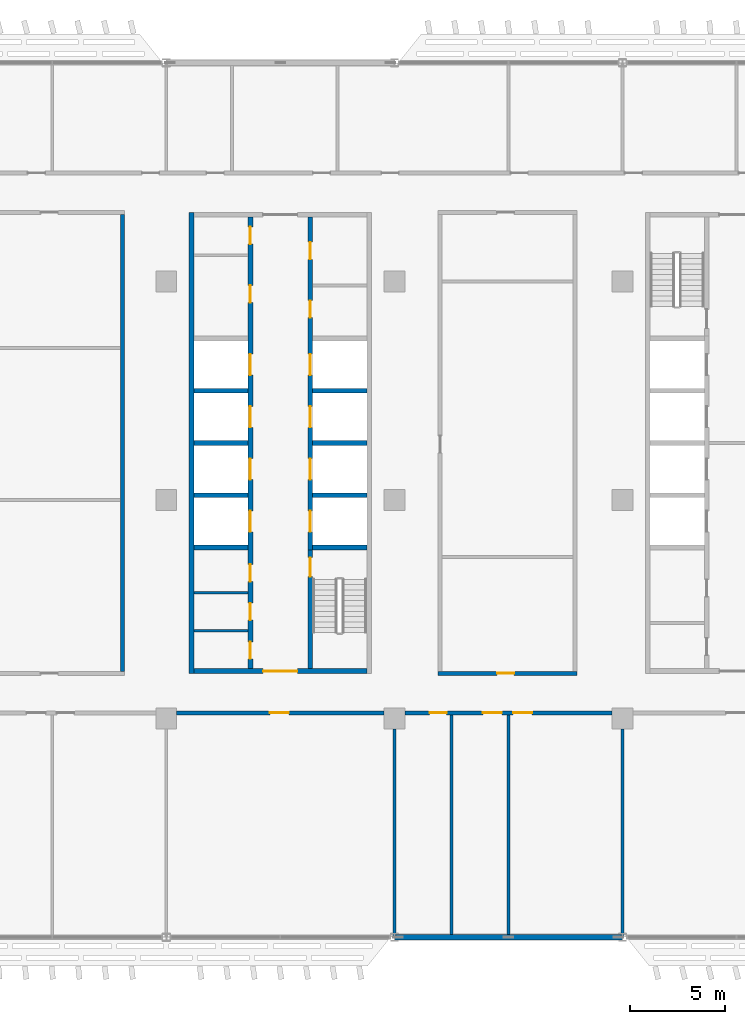
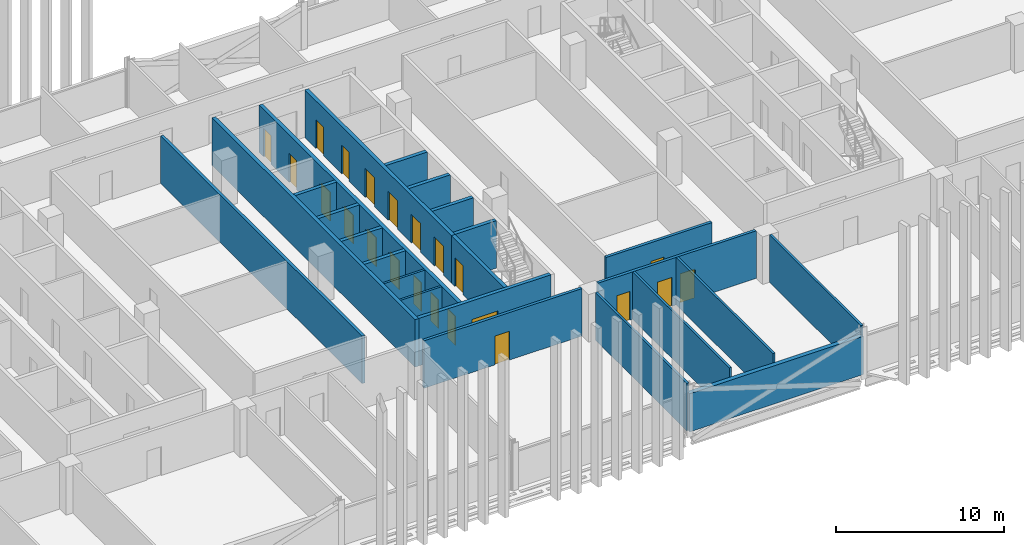
# One storey, part 14 of 30: 24 walls, 22 doors, 22 openings.
"""IFC4 building model written with IfcOpenShell, lengths in metres."""

from ifc_helpers import new_model, si_unit, direction, frame, frame_2d, origin, place, context, subcontext, project, spatial, rectangle, extrude, material, layer, layer_set, type_object, element, fill, save


model = new_model("IFC4")

# Units and contexts
model_context = context("Model", 3, precision=1e-05, world=origin(), true_north=direction((0.0, 1.0)))
body_context = subcontext(model_context, "Body", "Model", "MODEL_VIEW")
ifc_project = project(units=[si_unit("LENGTHUNIT", "METRE"), si_unit("AREAUNIT", "SQUARE_METRE"), si_unit("VOLUMEUNIT", "CUBIC_METRE"), si_unit("PLANEANGLEUNIT", "RADIAN"), si_unit("MASSUNIT", "GRAM", prefix="KILO")], contexts=[model_context])

# Site, building, storey
site_placement = place(None, origin())
site = spatial("IfcSite", under=ifc_project, at=site_placement, CompositionType="ELEMENT")
building_placement = place(site_placement, origin())
building = spatial("IfcBuilding", under=site, at=building_placement, Name="Mahtab Terrace Research Tower", CompositionType="ELEMENT")
storey_placement = place(building_placement, frame((0.0, 0.0, 209.10009765625)))
storey = spatial("IfcBuildingStorey", under=building, at=storey_placement, Name="L50", CompositionType="ELEMENT", Elevation=209.10009765625)

# Walls
ifc_material_1 = material(Name="Gypsum board partition")
ifc_layer_1 = layer(ifc_material_1, 0.14990234375)
ifc_layer_set_1 = layer_set([ifc_layer_1], Name="Core partition 150")
wall_type_1 = type_object("IfcWallType", Name="Core partition 150", PredefinedType="PARTITIONING", material=ifc_layer_set_1)
for number, where, z_axis, x_axis, name in (
    (1, (-4.550048828125, -6.875, 0.0), (0.0, 0.0, 1.0), (1.0, 0.0, 0.0), "Core wall B pWS-988"),
    (2, (-4.550048828125, -4.875, 0.0), (0.0, 0.0, 1.0), (1.0, 0.0, 0.0), "Core wall B pWS-788"),
):
    element("IfcWall", number, at=place(storey_placement, frame(where, z_axis=z_axis, x_axis=x_axis)), inside=storey, type_object=wall_type_1, Name=name, PredefinedType="PARTITIONING", context=body_context, shape_type="SweptSolid", body=[
        extrude(rectangle(XDim=2.85009765625, YDim=0.14990234375, at=frame_2d((1.425048828125, 0.0))), origin(), (0.0, 0.0, 1.0), 3.4599609375),
    ])
ifc_material_2 = material(Name="Concrete C70/85", Category="concrete")
ifc_layer_2 = layer(ifc_material_2, 0.25)
ifc_layer_set_2 = layer_set([ifc_layer_2], Name="Core wall 250")
wall_type_2 = type_object("IfcWallType", Name="Core wall 250", PredefinedType="SOLIDWALL", material=ifc_layer_set_2)
wall_1_placement = place(storey_placement, frame((-4.675048828125, 15.125, 0.0), z_axis=(0.0, 0.0, 1.0), x_axis=(0.0, -1.0, 0.0)))
element("IfcWall", 3, at=wall_1_placement, inside=storey, type_object=wall_type_2, Name="Core wall B outerW", PredefinedType="SOLIDWALL", context=body_context, shape_type="SweptSolid", body=[
    extrude(rectangle(XDim=24.25, YDim=0.25, at=frame_2d((12.125, 0.0))), origin(), (0.0, 0.0, 1.0), 3.4599609375),
])

# Wall, opening, door
wall_2_placement = place(storey_placement, frame((4.550048828125, -9.0, 0.0), z_axis=(0.0, 0.0, 1.0), x_axis=(-1.0, 0.0, 0.0)))
wall_2 = element("IfcWall", 4, at=wall_2_placement, inside=storey, type_object=wall_type_2, Name="Core wall B endS", PredefinedType="SOLIDWALL", context=body_context, shape_type="SweptSolid", body=[
    extrude(rectangle(XDim=9.10009765625, YDim=0.25, at=frame_2d((4.550048828125, 0.0))), origin(), (0.0, 0.0, 1.0), 3.4599609375),
])
opening_1_placement = place(wall_2_placement, frame((3.64990234375, 0.0, 0.0)))
opening_1 = element("IfcOpeningElement", 5, at=opening_1_placement, cuts=wall_2, Name="Opening B-S1", PredefinedType="OPENING", context=body_context, shape_type="SweptSolid", body=[
    extrude(rectangle(XDim=1.800048828125, YDim=2.10009765625, at=frame_2d((0.89990234375, 1.050048828125))), frame((0.0, 0.135009765625, 0.0), z_axis=(0.0, -1.0, 0.0), x_axis=(1.0, 0.0, 0.0)), (0.0, 0.0, 1.0), 0.27001953125),
])
ifc_material_3 = material(Name="Steel fire door", Category="steel")
door_type_1 = type_object("IfcDoorType", Name="Lobby double door 1800x2100 1 HR", OperationType="DOUBLE_DOOR_SINGLE_SWING", PredefinedType="DOOR", material=ifc_material_3)
door_1_placement = place(opening_1_placement, origin())
door_1 = element("IfcDoor", 6, at=door_1_placement, inside=storey, type_object=door_type_1, Name="Core entrance door B S", OperationType="DOUBLE_DOOR_SINGLE_SWING", OverallHeight=2.10009765625, OverallWidth=1.800048828125, PredefinedType="DOOR", context=body_context, shape_type="SweptSolid", body=[
    extrude(rectangle(XDim=1.800048828125, YDim=2.10009765625, at=frame_2d((0.89990234375, 1.050048828125))), frame((0.0, 0.02490234375, 0.0), z_axis=(0.0, -1.0, 0.0), x_axis=(1.0, 0.0, 0.0)), (0.0, 0.0, 1.0), 0.050048828125),
])
fill(opening_1, door_1)

# Wall, openings, doors
wall_3_placement = place(storey_placement, frame((-1.574951171875, -8.875, 0.0), z_axis=(0.0, 0.0, 1.0), x_axis=(0.0, 1.0, 0.0)))
wall_3 = element("IfcWall", 7, at=wall_3_placement, inside=storey, type_object=wall_type_2, Name="Core wall B innerWSLN", PredefinedType="SOLIDWALL", context=body_context, shape_type="SweptSolid", body=[
    extrude(rectangle(XDim=23.75, YDim=0.25, at=frame_2d((11.875, 0.0))), origin(), (0.0, 0.0, 1.0), 3.4599609375),
])
opening_2_placement = place(wall_3_placement, frame((7.199951171875, 0.0, 0.0)))
opening_2 = element("IfcOpeningElement", 8, at=opening_2_placement, cuts=wall_3, Name="Opening LD09-L50", PredefinedType="OPENING", context=body_context, shape_type="SweptSolid", body=[
    extrude(rectangle(XDim=1.10009765625, YDim=2.10009765625, at=frame_2d((0.550048828125, 1.050048828125))), frame((0.0, 0.135009765625, 0.0), z_axis=(0.0, -1.0, 0.0), x_axis=(1.0, 0.0, 0.0)), (0.0, 0.0, 1.0), 0.27001953125),
])
opening_3_placement = place(wall_3_placement, frame((9.949951171875, 0.0, 0.0)))
opening_3 = element("IfcOpeningElement", 9, at=opening_3_placement, cuts=wall_3, Name="Opening LD10-L50", PredefinedType="OPENING", context=body_context, shape_type="SweptSolid", body=[
    extrude(rectangle(XDim=1.10009765625, YDim=2.10009765625, at=frame_2d((0.550048828125, 1.050048828125))), frame((0.0, 0.135009765625, 0.0), z_axis=(0.0, -1.0, 0.0), x_axis=(1.0, 0.0, 0.0)), (0.0, 0.0, 1.0), 0.27001953125),
])
opening_4_placement = place(wall_3_placement, frame((12.699951171875, 0.0, 0.0)))
opening_4 = element("IfcOpeningElement", 10, at=opening_4_placement, cuts=wall_3, Name="Opening LD11-L50", PredefinedType="OPENING", context=body_context, shape_type="SweptSolid", body=[
    extrude(rectangle(XDim=1.10009765625, YDim=2.10009765625, at=frame_2d((0.550048828125, 1.050048828125))), frame((0.0, 0.135009765625, 0.0), z_axis=(0.0, -1.0, 0.0), x_axis=(1.0, 0.0, 0.0)), (0.0, 0.0, 1.0), 0.27001953125),
])
opening_5_placement = place(wall_3_placement, frame((15.449951171875, 0.0, 0.0)))
opening_5 = element("IfcOpeningElement", 11, at=opening_5_placement, cuts=wall_3, Name="Opening LD12-L50", PredefinedType="OPENING", context=body_context, shape_type="SweptSolid", body=[
    extrude(rectangle(XDim=1.10009765625, YDim=2.10009765625, at=frame_2d((0.550048828125, 1.050048828125))), frame((0.0, 0.135009765625, 0.0), z_axis=(0.0, -1.0, 0.0), x_axis=(1.0, 0.0, 0.0)), (0.0, 0.0, 1.0), 0.27001953125),
])
opening_6_placement = place(wall_3_placement, frame((0.512451171875, 0.0, 0.0)))
opening_6 = element("IfcOpeningElement", 12, at=opening_6_placement, cuts=wall_3, Name="Opening B-R1", PredefinedType="OPENING", context=body_context, shape_type="SweptSolid", body=[
    extrude(rectangle(XDim=0.89990234375, YDim=2.10009765625, at=frame_2d((0.449951171875, 1.050048828125))), frame((0.0, 0.135009765625, 0.0), z_axis=(0.0, -1.0, 0.0), x_axis=(1.0, 0.0, 0.0)), (0.0, 0.0, 1.0), 0.27001953125),
])
opening_7_placement = place(wall_3_placement, frame((2.550048828125, 0.0, 0.0)))
opening_7 = element("IfcOpeningElement", 13, at=opening_7_placement, cuts=wall_3, Name="Opening B-R2", PredefinedType="OPENING", context=body_context, shape_type="SweptSolid", body=[
    extrude(rectangle(XDim=0.89990234375, YDim=2.10009765625, at=frame_2d((0.449951171875, 1.050048828125))), frame((0.0, 0.135009765625, 0.0), z_axis=(0.0, -1.0, 0.0), x_axis=(1.0, 0.0, 0.0)), (0.0, 0.0, 1.0), 0.27001953125),
])
opening_8_placement = place(wall_3_placement, frame((4.58740234375, 0.0, 0.0)))
opening_8 = element("IfcOpeningElement", 14, at=opening_8_placement, cuts=wall_3, Name="Opening B-R3", PredefinedType="OPENING", context=body_context, shape_type="SweptSolid", body=[
    extrude(rectangle(XDim=0.89990234375, YDim=2.10009765625, at=frame_2d((0.449951171875, 1.050048828125))), frame((0.0, 0.135009765625, 0.0), z_axis=(0.0, -1.0, 0.0), x_axis=(1.0, 0.0, 0.0)), (0.0, 0.0, 1.0), 0.27001953125),
])
opening_9_placement = place(wall_3_placement, frame((19.262451171875, 0.0, 0.0)))
opening_9 = element("IfcOpeningElement", 15, at=opening_9_placement, cuts=wall_3, Name="Opening B-R4", PredefinedType="OPENING", context=body_context, shape_type="SweptSolid", body=[
    extrude(rectangle(XDim=0.89990234375, YDim=2.10009765625, at=frame_2d((0.449951171875, 1.050048828125))), frame((0.0, 0.135009765625, 0.0), z_axis=(0.0, -1.0, 0.0), x_axis=(1.0, 0.0, 0.0)), (0.0, 0.0, 1.0), 0.27001953125),
])
opening_10_placement = place(wall_3_placement, frame((22.33740234375, 0.0, 0.0)))
opening_10 = element("IfcOpeningElement", 16, at=opening_10_placement, cuts=wall_3, Name="Opening B-R5", PredefinedType="OPENING", context=body_context, shape_type="SweptSolid", body=[
    extrude(rectangle(XDim=0.89990234375, YDim=2.10009765625, at=frame_2d((0.449951171875, 1.050048828125))), frame((0.0, 0.135009765625, 0.0), z_axis=(0.0, -1.0, 0.0), x_axis=(1.0, 0.0, 0.0)), (0.0, 0.0, 1.0), 0.27001953125),
])
ifc_material_4 = material(Name="Stainless steel AISI 304", Category="steel")
door_type_2 = type_object("IfcDoorType", Name="Landing door 1100x2100", OperationType="DOUBLE_DOOR_SLIDING", PredefinedType="DOOR", material=ifc_material_4)
door_2_placement = place(opening_2_placement, origin())
door_2 = element("IfcDoor", 17, at=door_2_placement, inside=storey, type_object=door_type_2, Name="Landing door HR1 L50", OperationType="DOUBLE_DOOR_SLIDING", OverallHeight=2.10009765625, OverallWidth=1.10009765625, PredefinedType="DOOR", context=body_context, shape_type="SweptSolid", body=[
    extrude(rectangle(XDim=1.10009765625, YDim=2.10009765625, at=frame_2d((0.550048828125, 1.050048828125))), frame((0.0, 0.02490234375, 0.0), z_axis=(0.0, -1.0, 0.0), x_axis=(1.0, 0.0, 0.0)), (0.0, 0.0, 1.0), 0.050048828125),
])
fill(opening_2, door_2)
door_3_placement = place(opening_3_placement, origin())
door_3 = element("IfcDoor", 18, at=door_3_placement, inside=storey, type_object=door_type_2, Name="Landing door HR2 L50", OperationType="DOUBLE_DOOR_SLIDING", OverallHeight=2.10009765625, OverallWidth=1.10009765625, PredefinedType="DOOR", context=body_context, shape_type="SweptSolid", body=[
    extrude(rectangle(XDim=1.10009765625, YDim=2.10009765625, at=frame_2d((0.550048828125, 1.050048828125))), frame((0.0, 0.02490234375, 0.0), z_axis=(0.0, -1.0, 0.0), x_axis=(1.0, 0.0, 0.0)), (0.0, 0.0, 1.0), 0.050048828125),
])
fill(opening_3, door_3)
door_4_placement = place(opening_4_placement, origin())
door_4 = element("IfcDoor", 19, at=door_4_placement, inside=storey, type_object=door_type_2, Name="Landing door HR3 L50", OperationType="DOUBLE_DOOR_SLIDING", OverallHeight=2.10009765625, OverallWidth=1.10009765625, PredefinedType="DOOR", context=body_context, shape_type="SweptSolid", body=[
    extrude(rectangle(XDim=1.10009765625, YDim=2.10009765625, at=frame_2d((0.550048828125, 1.050048828125))), frame((0.0, 0.02490234375, 0.0), z_axis=(0.0, -1.0, 0.0), x_axis=(1.0, 0.0, 0.0)), (0.0, 0.0, 1.0), 0.050048828125),
])
fill(opening_4, door_4)
door_5_placement = place(opening_5_placement, origin())
door_5 = element("IfcDoor", 20, at=door_5_placement, inside=storey, type_object=door_type_2, Name="Landing door HR4 L50", OperationType="DOUBLE_DOOR_SLIDING", OverallHeight=2.10009765625, OverallWidth=1.10009765625, PredefinedType="DOOR", context=body_context, shape_type="SweptSolid", body=[
    extrude(rectangle(XDim=1.10009765625, YDim=2.10009765625, at=frame_2d((0.550048828125, 1.050048828125))), frame((0.0, 0.02490234375, 0.0), z_axis=(0.0, -1.0, 0.0), x_axis=(1.0, 0.0, 0.0)), (0.0, 0.0, 1.0), 0.050048828125),
])
fill(opening_5, door_5)
door_type_3 = type_object("IfcDoorType", Name="Room door 900x2100 1 HR", OperationType="NOTDEFINED", PredefinedType="DOOR", material=ifc_material_3)
door_6_placement = place(opening_6_placement, origin())
door_6 = element("IfcDoor", 21, at=door_6_placement, inside=storey, type_object=door_type_3, Name="Comms riser room door", OperationType="SINGLE_SWING_LEFT", OverallHeight=2.10009765625, OverallWidth=0.89990234375, PredefinedType="DOOR", context=body_context, shape_type="SweptSolid", body=[
    extrude(rectangle(XDim=0.89990234375, YDim=2.10009765625, at=frame_2d((0.449951171875, 1.050048828125))), frame((0.0, 0.02490234375, 0.0), z_axis=(0.0, -1.0, 0.0), x_axis=(1.0, 0.0, 0.0)), (0.0, 0.0, 1.0), 0.050048828125),
])
fill(opening_6, door_6)
door_7_placement = place(opening_7_placement, origin())
door_7 = element("IfcDoor", 22, at=door_7_placement, inside=storey, type_object=door_type_3, Name="Pantry door", OperationType="SINGLE_SWING_RIGHT", OverallHeight=2.10009765625, OverallWidth=0.89990234375, PredefinedType="DOOR", context=body_context, shape_type="SweptSolid", body=[
    extrude(rectangle(XDim=0.89990234375, YDim=2.10009765625, at=frame_2d((0.449951171875, 1.050048828125))), frame((0.0, 0.02490234375, 0.0), z_axis=(0.0, -1.0, 0.0), x_axis=(1.0, 0.0, 0.0)), (0.0, 0.0, 1.0), 0.050048828125),
])
fill(opening_7, door_7)
door_8_placement = place(opening_8_placement, origin())
door_8 = element("IfcDoor", 23, at=door_8_placement, inside=storey, type_object=door_type_3, Name="Cleaners store door", OperationType="SINGLE_SWING_LEFT", OverallHeight=2.10009765625, OverallWidth=0.89990234375, PredefinedType="DOOR", context=body_context, shape_type="SweptSolid", body=[
    extrude(rectangle(XDim=0.89990234375, YDim=2.10009765625, at=frame_2d((0.449951171875, 1.050048828125))), frame((0.0, 0.02490234375, 0.0), z_axis=(0.0, -1.0, 0.0), x_axis=(1.0, 0.0, 0.0)), (0.0, 0.0, 1.0), 0.050048828125),
])
fill(opening_8, door_8)
door_9_placement = place(opening_9_placement, origin())
door_9 = element("IfcDoor", 24, at=door_9_placement, inside=storey, type_object=door_type_3, Name="IT equipment room door", OperationType="SINGLE_SWING_RIGHT", OverallHeight=2.10009765625, OverallWidth=0.89990234375, PredefinedType="DOOR", context=body_context, shape_type="SweptSolid", body=[
    extrude(rectangle(XDim=0.89990234375, YDim=2.10009765625, at=frame_2d((0.449951171875, 1.050048828125))), frame((0.0, 0.02490234375, 0.0), z_axis=(0.0, -1.0, 0.0), x_axis=(1.0, 0.0, 0.0)), (0.0, 0.0, 1.0), 0.050048828125),
])
fill(opening_9, door_9)
door_10_placement = place(opening_10_placement, origin())
door_10 = element("IfcDoor", 25, at=door_10_placement, inside=storey, type_object=door_type_3, Name="Electrical riser room door", OperationType="SINGLE_SWING_LEFT", OverallHeight=2.10009765625, OverallWidth=0.89990234375, PredefinedType="DOOR", context=body_context, shape_type="SweptSolid", body=[
    extrude(rectangle(XDim=0.89990234375, YDim=2.10009765625, at=frame_2d((0.449951171875, 1.050048828125))), frame((0.0, 0.02490234375, 0.0), z_axis=(0.0, -1.0, 0.0), x_axis=(1.0, 0.0, 0.0)), (0.0, 0.0, 1.0), 0.050048828125),
])
fill(opening_10, door_10)

# Wall, opening, door
wall_4_placement = place(storey_placement, frame((1.574951171875, -8.875, 0.0), z_axis=(0.0, 0.0, 1.0), x_axis=(0.0, 1.0, 0.0)))
wall_4 = element("IfcWall", 26, at=wall_4_placement, inside=storey, type_object=wall_type_2, Name="Core wall B innerES", PredefinedType="SOLIDWALL", context=body_context, shape_type="SweptSolid", body=[
    extrude(rectangle(XDim=6.25, YDim=0.25, at=frame_2d((3.125, 0.0))), origin(), (0.0, 0.0, 1.0), 3.4599609375),
])
opening_11_placement = place(wall_4_placement, frame((4.85009765625, 0.0, 0.0)))
opening_11 = element("IfcOpeningElement", 27, at=opening_11_placement, cuts=wall_4, Name="Opening B-ST2", PredefinedType="OPENING", context=body_context, shape_type="SweptSolid", body=[
    extrude(rectangle(XDim=1.0, YDim=2.10009765625, at=frame_2d((0.5, 1.050048828125))), frame((0.0, 0.135009765625, 0.0), z_axis=(0.0, -1.0, 0.0), x_axis=(1.0, 0.0, 0.0)), (0.0, 0.0, 1.0), 0.27001953125),
])
door_type_4 = type_object("IfcDoorType", Name="Stair door 1000x2100 1.5 HR", OperationType="NOTDEFINED", PredefinedType="DOOR", material=ifc_material_3)
door_11_placement = place(opening_11_placement, origin())
door_11 = element("IfcDoor", 28, at=door_11_placement, inside=storey, type_object=door_type_4, Name="Stair door ST2 L50", OperationType="SINGLE_SWING_RIGHT", OverallHeight=2.10009765625, OverallWidth=1.0, PredefinedType="DOOR", context=body_context, shape_type="SweptSolid", body=[
    extrude(rectangle(XDim=1.0, YDim=2.10009765625, at=frame_2d((0.5, 1.050048828125))), frame((0.0, 0.02490234375, 0.0), z_axis=(0.0, -1.0, 0.0), x_axis=(1.0, 0.0, 0.0)), (0.0, 0.0, 1.0), 0.050048828125),
])
fill(opening_11, door_11)

# Wall, openings, doors
wall_5_placement = place(storey_placement, frame((1.574951171875, 14.875, 0.0), z_axis=(0.0, 0.0, 1.0), x_axis=(0.0, -1.0, 0.0)))
wall_5 = element("IfcWall", 29, at=wall_5_placement, inside=storey, type_object=wall_type_2, Name="Core wall B innerELN", PredefinedType="SOLIDWALL", context=body_context, shape_type="SweptSolid", body=[
    extrude(rectangle(XDim=17.5, YDim=0.25, at=frame_2d((8.75, 0.0))), origin(), (0.0, 0.0, 1.0), 3.4599609375),
])
opening_12_placement = place(wall_5_placement, frame((15.449951171875, 0.0, 0.0)))
opening_12 = element("IfcOpeningElement", 30, at=opening_12_placement, cuts=wall_5, Name="Opening LD13-L50", PredefinedType="OPENING", context=body_context, shape_type="SweptSolid", body=[
    extrude(rectangle(XDim=1.10009765625, YDim=2.10009765625, at=frame_2d((0.550048828125, 1.050048828125))), frame((0.0, 0.135009765625, 0.0), z_axis=(0.0, -1.0, 0.0), x_axis=(1.0, 0.0, 0.0)), (0.0, 0.0, 1.0), 0.27001953125),
])
opening_13_placement = place(wall_5_placement, frame((12.699951171875, 0.0, 0.0)))
opening_13 = element("IfcOpeningElement", 31, at=opening_13_placement, cuts=wall_5, Name="Opening LD14-L50", PredefinedType="OPENING", context=body_context, shape_type="SweptSolid", body=[
    extrude(rectangle(XDim=1.10009765625, YDim=2.10009765625, at=frame_2d((0.550048828125, 1.050048828125))), frame((0.0, 0.135009765625, 0.0), z_axis=(0.0, -1.0, 0.0), x_axis=(1.0, 0.0, 0.0)), (0.0, 0.0, 1.0), 0.27001953125),
])
opening_14_placement = place(wall_5_placement, frame((9.949951171875, 0.0, 0.0)))
opening_14 = element("IfcOpeningElement", 32, at=opening_14_placement, cuts=wall_5, Name="Opening LD15-L50", PredefinedType="OPENING", context=body_context, shape_type="SweptSolid", body=[
    extrude(rectangle(XDim=1.10009765625, YDim=2.10009765625, at=frame_2d((0.550048828125, 1.050048828125))), frame((0.0, 0.135009765625, 0.0), z_axis=(0.0, -1.0, 0.0), x_axis=(1.0, 0.0, 0.0)), (0.0, 0.0, 1.0), 0.27001953125),
])
opening_15_placement = place(wall_5_placement, frame((7.199951171875, 0.0, 0.0)))
opening_15 = element("IfcOpeningElement", 33, at=opening_15_placement, cuts=wall_5, Name="Opening LD16-L50", PredefinedType="OPENING", context=body_context, shape_type="SweptSolid", body=[
    extrude(rectangle(XDim=1.10009765625, YDim=2.10009765625, at=frame_2d((0.550048828125, 1.050048828125))), frame((0.0, 0.135009765625, 0.0), z_axis=(0.0, -1.0, 0.0), x_axis=(1.0, 0.0, 0.0)), (0.0, 0.0, 1.0), 0.27001953125),
])
opening_16_placement = place(wall_5_placement, frame((4.387451171875, 0.0, 0.0)))
opening_16 = element("IfcOpeningElement", 34, at=opening_16_placement, cuts=wall_5, Name="Opening B-R6", PredefinedType="OPENING", context=body_context, shape_type="SweptSolid", body=[
    extrude(rectangle(XDim=0.89990234375, YDim=2.10009765625, at=frame_2d((0.449951171875, 1.050048828125))), frame((0.0, 0.135009765625, 0.0), z_axis=(0.0, -1.0, 0.0), x_axis=(1.0, 0.0, 0.0)), (0.0, 0.0, 1.0), 0.27001953125),
])
opening_17_placement = place(wall_5_placement, frame((1.3125, 0.0, 0.0)))
opening_17 = element("IfcOpeningElement", 35, at=opening_17_placement, cuts=wall_5, Name="Opening B-R7", PredefinedType="OPENING", context=body_context, shape_type="SweptSolid", body=[
    extrude(rectangle(XDim=0.89990234375, YDim=2.10009765625, at=frame_2d((0.449951171875, 1.050048828125))), frame((0.0, 0.135009765625, 0.0), z_axis=(0.0, -1.0, 0.0), x_axis=(1.0, 0.0, 0.0)), (0.0, 0.0, 1.0), 0.27001953125),
])
door_12_placement = place(opening_12_placement, origin())
door_12 = element("IfcDoor", 36, at=door_12_placement, inside=storey, type_object=door_type_2, Name="Landing door HR5 L50", OperationType="DOUBLE_DOOR_SLIDING", OverallHeight=2.10009765625, OverallWidth=1.10009765625, PredefinedType="DOOR", context=body_context, shape_type="SweptSolid", body=[
    extrude(rectangle(XDim=1.10009765625, YDim=2.10009765625, at=frame_2d((0.550048828125, 1.050048828125))), frame((0.0, 0.02490234375, 0.0), z_axis=(0.0, -1.0, 0.0), x_axis=(1.0, 0.0, 0.0)), (0.0, 0.0, 1.0), 0.050048828125),
])
fill(opening_12, door_12)
door_13_placement = place(opening_13_placement, origin())
door_13 = element("IfcDoor", 37, at=door_13_placement, inside=storey, type_object=door_type_2, Name="Landing door HR6 L50", OperationType="DOUBLE_DOOR_SLIDING", OverallHeight=2.10009765625, OverallWidth=1.10009765625, PredefinedType="DOOR", context=body_context, shape_type="SweptSolid", body=[
    extrude(rectangle(XDim=1.10009765625, YDim=2.10009765625, at=frame_2d((0.550048828125, 1.050048828125))), frame((0.0, 0.02490234375, 0.0), z_axis=(0.0, -1.0, 0.0), x_axis=(1.0, 0.0, 0.0)), (0.0, 0.0, 1.0), 0.050048828125),
])
fill(opening_13, door_13)
door_14_placement = place(opening_14_placement, origin())
door_14 = element("IfcDoor", 38, at=door_14_placement, inside=storey, type_object=door_type_2, Name="Landing door HR7 L50", OperationType="DOUBLE_DOOR_SLIDING", OverallHeight=2.10009765625, OverallWidth=1.10009765625, PredefinedType="DOOR", context=body_context, shape_type="SweptSolid", body=[
    extrude(rectangle(XDim=1.10009765625, YDim=2.10009765625, at=frame_2d((0.550048828125, 1.050048828125))), frame((0.0, 0.02490234375, 0.0), z_axis=(0.0, -1.0, 0.0), x_axis=(1.0, 0.0, 0.0)), (0.0, 0.0, 1.0), 0.050048828125),
])
fill(opening_14, door_14)
door_15_placement = place(opening_15_placement, origin())
door_15 = element("IfcDoor", 39, at=door_15_placement, inside=storey, type_object=door_type_2, Name="Landing door HR8 L50", OperationType="DOUBLE_DOOR_SLIDING", OverallHeight=2.10009765625, OverallWidth=1.10009765625, PredefinedType="DOOR", context=body_context, shape_type="SweptSolid", body=[
    extrude(rectangle(XDim=1.10009765625, YDim=2.10009765625, at=frame_2d((0.550048828125, 1.050048828125))), frame((0.0, 0.02490234375, 0.0), z_axis=(0.0, -1.0, 0.0), x_axis=(1.0, 0.0, 0.0)), (0.0, 0.0, 1.0), 0.050048828125),
])
fill(opening_15, door_15)
door_16_placement = place(opening_16_placement, origin())
door_16 = element("IfcDoor", 40, at=door_16_placement, inside=storey, type_object=door_type_3, Name="Accessible WC door", OperationType="SINGLE_SWING_RIGHT", OverallHeight=2.10009765625, OverallWidth=0.89990234375, PredefinedType="DOOR", context=body_context, shape_type="SweptSolid", body=[
    extrude(rectangle(XDim=0.89990234375, YDim=2.10009765625, at=frame_2d((0.449951171875, 1.050048828125))), frame((0.0, 0.02490234375, 0.0), z_axis=(0.0, -1.0, 0.0), x_axis=(1.0, 0.0, 0.0)), (0.0, 0.0, 1.0), 0.050048828125),
])
fill(opening_16, door_16)
door_17_placement = place(opening_17_placement, origin())
door_17 = element("IfcDoor", 41, at=door_17_placement, inside=storey, type_object=door_type_3, Name="WC block door", OperationType="SINGLE_SWING_LEFT", OverallHeight=2.10009765625, OverallWidth=0.89990234375, PredefinedType="DOOR", context=body_context, shape_type="SweptSolid", body=[
    extrude(rectangle(XDim=0.89990234375, YDim=2.10009765625, at=frame_2d((0.449951171875, 1.050048828125))), frame((0.0, 0.02490234375, 0.0), z_axis=(0.0, -1.0, 0.0), x_axis=(1.0, 0.0, 0.0)), (0.0, 0.0, 1.0), 0.050048828125),
])
fill(opening_17, door_17)

# Walls
for number, where, z_axis, x_axis, name in (
    (42, (-4.550048828125, -2.5, 0.0), (0.0, 0.0, 1.0), (1.0, 0.0, 0.0), "Core wall B divW0"),
    (43, (-4.550048828125, 0.25, 0.0), (0.0, 0.0, 1.0), (1.0, 0.0, 0.0), "Core wall B divW1"),
    (44, (-4.550048828125, 3.0, 0.0), (0.0, 0.0, 1.0), (1.0, 0.0, 0.0), "Core wall B divW2"),
    (45, (-4.550048828125, 5.75, 0.0), (0.0, 0.0, 1.0), (1.0, 0.0, 0.0), "Core wall B divW3"),
    (46, (1.699951171875, -2.5, 0.0), (0.0, 0.0, 1.0), (1.0, 0.0, 0.0), "Core wall B divE0"),
    (47, (1.699951171875, 0.25, 0.0), (0.0, 0.0, 1.0), (1.0, 0.0, 0.0), "Core wall B divE1"),
    (48, (1.699951171875, 3.0, 0.0), (0.0, 0.0, 1.0), (1.0, 0.0, 0.0), "Core wall B divE2"),
    (49, (1.699951171875, 5.75, 0.0), (0.0, 0.0, 1.0), (1.0, 0.0, 0.0), "Core wall B divE3"),
):
    element("IfcWall", number, at=place(storey_placement, frame(where, z_axis=z_axis, x_axis=x_axis)), inside=storey, type_object=wall_type_2, Name=name, PredefinedType="SOLIDWALL", context=body_context, shape_type="SweptSolid", body=[
        extrude(rectangle(XDim=2.85009765625, YDim=0.25, at=frame_2d((1.425048828125, 0.0))), origin(), (0.0, 0.0, 1.0), 3.4599609375),
    ])
ifc_material_5 = material(Name="Black aluminium cladding panel", Category="aluminium")
ifc_layer_3 = layer(ifc_material_5, 0.300048828125)
ifc_layer_set_3 = layer_set([ifc_layer_3], Name="Opaque facade wall 300")
wall_type_3 = type_object("IfcWallType", Name="Opaque facade wall 300", PredefinedType="NOTDEFINED", material=ifc_layer_set_3)
wall_6_placement = place(storey_placement, frame((6.012451171875, -23.0, 0.0), z_axis=(0.0, 0.0, 1.0), x_axis=(1.0, 0.0, 0.0)))
element("IfcWall", 50, at=wall_6_placement, inside=storey, type_object=wall_type_3, Name="Opaque facade wall L50 S27", PredefinedType="NOTDEFINED", context=body_context, shape_type="SweptSolid", body=[
    extrude(rectangle(XDim=11.97509765625, YDim=0.300048828125, at=frame_2d((5.987548828125, 0.0))), origin(), (0.0, 0.0, 1.0), 2.78173828125),
])

# Wall, opening, door
ifc_material_6 = material(Name="Gypsum board corridor wall on steel studs", Category="steel")
ifc_layer_4 = layer(ifc_material_6, 0.199951171875)
ifc_layer_set_4 = layer_set([ifc_layer_4], Name="WALL CORRIDOR 200")
wall_type_4 = type_object("IfcWallType", Name="WALL CORRIDOR 200", PredefinedType="PARTITIONING", material=ifc_layer_set_4)
wall_7_placement = place(storey_placement, frame((-5.449951171875, -11.199951171875, 0.0), z_axis=(0.0, 0.0, 1.0), x_axis=(1.0, 0.0, 0.0)))
wall_7 = element("IfcWall", 51, at=wall_7_placement, inside=storey, type_object=wall_type_4, Name="L50-W004", PredefinedType="PARTITIONING", context=body_context, shape_type="SweptSolid", body=[
    extrude(rectangle(XDim=10.89990234375, YDim=0.199951171875, at=frame_2d((5.449951171875, 0.0))), origin(), (0.0, 0.0, 1.0), 3.4599609375),
])
opening_18_placement = place(wall_7_placement, frame((4.89990234375, 0.0, 0.0)))
opening_18 = element("IfcOpeningElement", 52, at=opening_18_placement, cuts=wall_7, Name="Opening L50-107", PredefinedType="OPENING", context=body_context, shape_type="SweptSolid", body=[
    extrude(rectangle(XDim=1.0, YDim=2.10009765625, at=frame_2d((0.5, 1.050048828125))), frame((0.0, 0.10986328125, 0.0), z_axis=(0.0, -1.0, 0.0), x_axis=(1.0, 0.0, 0.0)), (0.0, 0.0, 1.0), 0.219970703125),
])
ifc_material_7 = material(Name="Timber door leaf in steel frame", Category="steel")
door_type_5 = type_object("IfcDoorType", Name="DOOR 1000X2100 FD30S", OperationType="SINGLE_SWING_LEFT", PredefinedType="DOOR", material=ifc_material_7)
door_18_placement = place(opening_18_placement, origin())
door_18 = element("IfcDoor", 53, at=door_18_placement, inside=storey, type_object=door_type_5, Name="Door L50-107", OperationType="SINGLE_SWING_RIGHT", OverallHeight=2.10009765625, OverallWidth=1.0, PredefinedType="DOOR", context=body_context, shape_type="SweptSolid", body=[
    extrude(rectangle(XDim=1.0, YDim=2.10009765625, at=frame_2d((0.5, 1.050048828125))), frame((0.0, 0.02490234375, 0.0), z_axis=(0.0, -1.0, 0.0), x_axis=(1.0, 0.0, 0.0)), (0.0, 0.0, 1.0), 0.050048828125),
])
fill(opening_18, door_18)

# Wall, openings, doors
wall_8_placement = place(storey_placement, frame((6.550048828125, -11.199951171875, 0.0), z_axis=(0.0, 0.0, 1.0), x_axis=(1.0, 0.0, 0.0)))
wall_8 = element("IfcWall", 54, at=wall_8_placement, inside=storey, type_object=wall_type_4, Name="L50-W005", PredefinedType="PARTITIONING", context=body_context, shape_type="SweptSolid", body=[
    extrude(rectangle(XDim=10.89990234375, YDim=0.199951171875, at=frame_2d((5.449951171875, 0.0))), origin(), (0.0, 0.0, 1.0), 3.4599609375),
])
opening_19_placement = place(wall_8_placement, frame((1.300048828125, 0.0, 0.0)))
opening_19 = element("IfcOpeningElement", 55, at=opening_19_placement, cuts=wall_8, Name="Opening L50-108", PredefinedType="OPENING", context=body_context, shape_type="SweptSolid", body=[
    extrude(rectangle(XDim=0.89990234375, YDim=2.10009765625, at=frame_2d((0.449951171875, 1.050048828125))), frame((0.0, 0.10986328125, 0.0), z_axis=(0.0, -1.0, 0.0), x_axis=(1.0, 0.0, 0.0)), (0.0, 0.0, 1.0), 0.219970703125),
])
opening_20_placement = place(wall_8_placement, frame((4.10009765625, 0.0, 0.0)))
opening_20 = element("IfcOpeningElement", 56, at=opening_20_placement, cuts=wall_8, Name="Opening L50-109", PredefinedType="OPENING", context=body_context, shape_type="SweptSolid", body=[
    extrude(rectangle(XDim=1.0, YDim=2.10009765625, at=frame_2d((0.5, 1.050048828125))), frame((0.0, 0.10986328125, 0.0), z_axis=(0.0, -1.0, 0.0), x_axis=(1.0, 0.0, 0.0)), (0.0, 0.0, 1.0), 0.219970703125),
])
opening_21_placement = place(wall_8_placement, frame((5.699951171875, 0.0, 0.0)))
opening_21 = element("IfcOpeningElement", 57, at=opening_21_placement, cuts=wall_8, Name="Opening L50-110", PredefinedType="OPENING", context=body_context, shape_type="SweptSolid", body=[
    extrude(rectangle(XDim=1.0, YDim=2.10009765625, at=frame_2d((0.5, 1.050048828125))), frame((0.0, 0.10986328125, 0.0), z_axis=(0.0, -1.0, 0.0), x_axis=(1.0, 0.0, 0.0)), (0.0, 0.0, 1.0), 0.219970703125),
])
door_type_6 = type_object("IfcDoorType", Name="DOOR 0900X2100 FD30S", OperationType="SINGLE_SWING_LEFT", PredefinedType="DOOR", material=ifc_material_7)
door_19_placement = place(opening_19_placement, origin())
door_19 = element("IfcDoor", 58, at=door_19_placement, inside=storey, type_object=door_type_6, Name="Door L50-108", OperationType="SINGLE_SWING_RIGHT", OverallHeight=2.10009765625, OverallWidth=0.89990234375, PredefinedType="DOOR", context=body_context, shape_type="SweptSolid", body=[
    extrude(rectangle(XDim=0.89990234375, YDim=2.10009765625, at=frame_2d((0.449951171875, 1.050048828125))), frame((0.0, 0.02490234375, 0.0), z_axis=(0.0, -1.0, 0.0), x_axis=(1.0, 0.0, 0.0)), (0.0, 0.0, 1.0), 0.050048828125),
])
fill(opening_19, door_19)
door_20_placement = place(opening_20_placement, origin())
door_20 = element("IfcDoor", 59, at=door_20_placement, inside=storey, type_object=door_type_5, Name="Door L50-109", OperationType="SINGLE_SWING_RIGHT", OverallHeight=2.10009765625, OverallWidth=1.0, PredefinedType="DOOR", context=body_context, shape_type="SweptSolid", body=[
    extrude(rectangle(XDim=1.0, YDim=2.10009765625, at=frame_2d((0.5, 1.050048828125))), frame((0.0, 0.02490234375, 0.0), z_axis=(0.0, -1.0, 0.0), x_axis=(1.0, 0.0, 0.0)), (0.0, 0.0, 1.0), 0.050048828125),
])
fill(opening_20, door_20)
door_21_placement = place(opening_21_placement, origin())
door_21 = element("IfcDoor", 60, at=door_21_placement, inside=storey, type_object=door_type_5, Name="Door L50-110", OperationType="SINGLE_SWING_LEFT", OverallHeight=2.10009765625, OverallWidth=1.0, PredefinedType="DOOR", context=body_context, shape_type="SweptSolid", body=[
    extrude(rectangle(XDim=1.0, YDim=2.10009765625, at=frame_2d((0.5, 1.050048828125))), frame((0.0, 0.02490234375, 0.0), z_axis=(0.0, -1.0, 0.0), x_axis=(1.0, 0.0, 0.0)), (0.0, 0.0, 1.0), 0.050048828125),
])
fill(opening_21, door_21)

# Wall, opening, door
wall_9_placement = place(storey_placement, frame((8.300048828125, -9.125, 0.0), z_axis=(0.0, 0.0, 1.0), x_axis=(1.0, 0.0, 0.0)))
wall_9 = element("IfcWall", 61, at=wall_9_placement, inside=storey, type_object=wall_type_4, Name="L50-W011", PredefinedType="PARTITIONING", context=body_context, shape_type="SweptSolid", body=[
    extrude(rectangle(XDim=7.300048828125, YDim=0.199951171875, at=frame_2d((3.64990234375, 0.0))), origin(), (0.0, 0.0, 1.0), 3.4599609375),
])
opening_22_placement = place(wall_9_placement, frame((3.10009765625, 0.0, 0.0)))
opening_22 = element("IfcOpeningElement", 62, at=opening_22_placement, cuts=wall_9, Name="Opening L50-117", PredefinedType="OPENING", context=body_context, shape_type="SweptSolid", body=[
    extrude(rectangle(XDim=0.89990234375, YDim=2.10009765625, at=frame_2d((0.449951171875, 1.050048828125))), frame((0.0, 0.10986328125, 0.0), z_axis=(0.0, -1.0, 0.0), x_axis=(1.0, 0.0, 0.0)), (0.0, 0.0, 1.0), 0.219970703125),
])
door_22_placement = place(opening_22_placement, origin())
door_22 = element("IfcDoor", 63, at=door_22_placement, inside=storey, type_object=door_type_6, Name="Door L50-117", OperationType="SINGLE_SWING_LEFT", OverallHeight=2.10009765625, OverallWidth=0.89990234375, PredefinedType="DOOR", context=body_context, shape_type="SweptSolid", body=[
    extrude(rectangle(XDim=0.89990234375, YDim=2.10009765625, at=frame_2d((0.449951171875, 1.050048828125))), frame((0.0, 0.02490234375, 0.0), z_axis=(0.0, -1.0, 0.0), x_axis=(1.0, 0.0, 0.0)), (0.0, 0.0, 1.0), 0.050048828125),
])
fill(opening_22, door_22)

# Walls
wall_10_placement = place(storey_placement, frame((-8.300048828125, -9.02490234375, 0.0), z_axis=(0.0, 0.0, 1.0), x_axis=(0.0, 1.0, 0.0)))
element("IfcWall", 64, at=wall_10_placement, inside=storey, type_object=wall_type_4, Name="L50-W039", PredefinedType="PARTITIONING", context=body_context, shape_type="SweptSolid", body=[
    extrude(rectangle(XDim=24.0498046875, YDim=0.199951171875, at=frame_2d((12.02490234375, 0.0))), origin(), (0.0, 0.0, 1.0), 3.4599609375),
])
ifc_material_8 = material(Name="Gypsum board partition on steel studs", Category="steel")
ifc_layer_5 = layer(ifc_material_8, 0.14990234375)
ifc_layer_set_5 = layer_set([ifc_layer_5], Name="WALL PARTITION 150")
wall_type_5 = type_object("IfcWallType", Name="WALL PARTITION 150", PredefinedType="PARTITIONING", material=ifc_layer_set_5)
wall_11_placement = place(storey_placement, frame((6.0, -22.97509765625, 0.0), z_axis=(0.0, 0.0, 1.0), x_axis=(0.0, 1.0, 0.0)))
element("IfcWall", 65, at=wall_11_placement, inside=storey, type_object=wall_type_5, Name="L50-W044", PredefinedType="PARTITIONING", context=body_context, shape_type="SweptSolid", body=[
    extrude(rectangle(XDim=10.925048828125, YDim=0.14990234375, at=frame_2d((5.46240234375, 0.0))), origin(), (0.0, 0.0, 1.0), 3.4599609375),
])
for number, where, z_axis, x_axis, name in (
    (66, (9.0, -22.85009765625, 0.0), (0.0, 0.0, 1.0), (0.0, 1.0, 0.0), "L50-W046"),
    (67, (12.0, -22.85009765625, 0.0), (0.0, 0.0, 1.0), (0.0, 1.0, 0.0), "L50-W047"),
):
    element("IfcWall", number, at=place(storey_placement, frame(where, z_axis=z_axis, x_axis=x_axis)), inside=storey, type_object=wall_type_5, Name=name, PredefinedType="PARTITIONING", context=body_context, shape_type="SweptSolid", body=[
        extrude(rectangle(XDim=11.550048828125, YDim=0.14990234375, at=frame_2d((5.77490234375, 0.0))), origin(), (0.0, 0.0, 1.0), 3.4599609375),
    ])
wall_12_placement = place(storey_placement, frame((18.0, -22.97509765625, 0.0), z_axis=(0.0, 0.0, 1.0), x_axis=(0.0, 1.0, 0.0)))
element("IfcWall", 68, at=wall_12_placement, inside=storey, type_object=wall_type_5, Name="L50-W050", PredefinedType="PARTITIONING", context=body_context, shape_type="SweptSolid", body=[
    extrude(rectangle(XDim=10.925048828125, YDim=0.14990234375, at=frame_2d((5.46240234375, 0.0))), origin(), (0.0, 0.0, 1.0), 3.4599609375),
])

save(model, "model.ifc")
